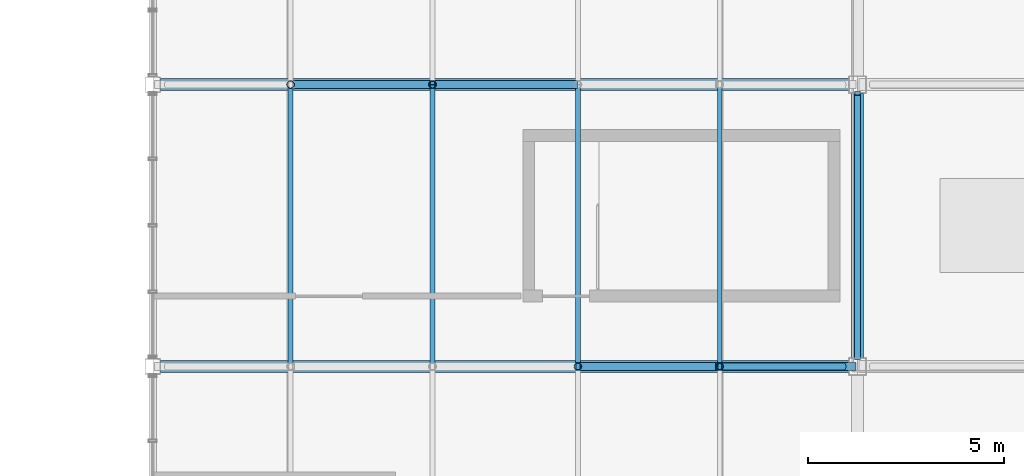
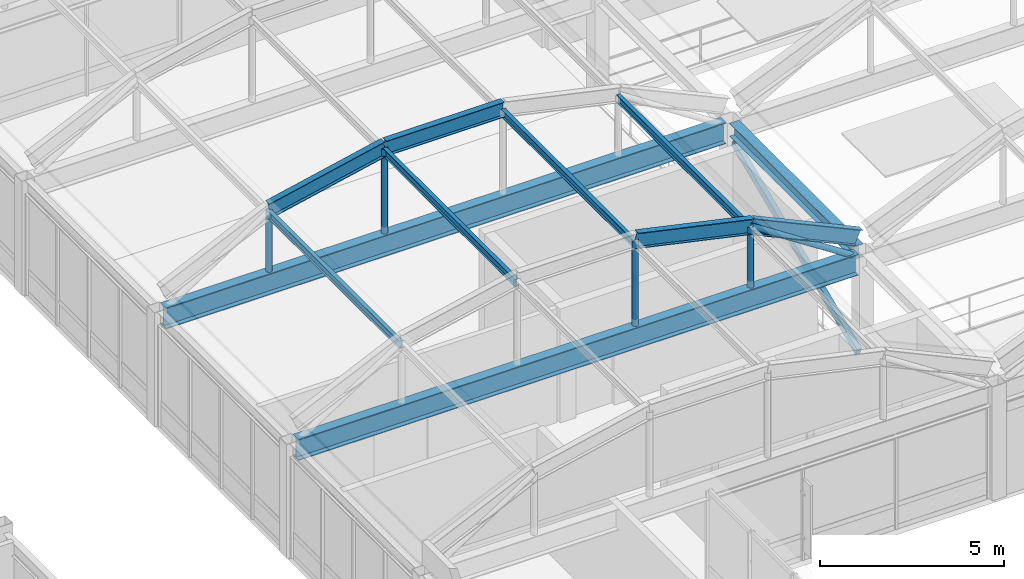
# One storey, part 27 of 106: 14 members, 3 beams.
"""IFC4 building model written with IfcOpenShell, lengths in metres."""

from ifc_helpers import new_model, si_unit, direction, frame, origin, origin_2d, place, context, subcontext, project, spatial, hollow_rectangle, hollow_circle, i_section, extrude, material, material_profile, profile_set, type_object, element, save


model = new_model("IFC4")

# Units and contexts
model_context = context("Model", 3, precision=1e-05, world=origin(), true_north=direction((0.0, 1.0)))
body_context = subcontext(model_context, "Body", "Model", "MODEL_VIEW")
ifc_project = project(units=[si_unit("LENGTHUNIT", "METRE"), si_unit("AREAUNIT", "SQUARE_METRE"), si_unit("VOLUMEUNIT", "CUBIC_METRE"), si_unit("PLANEANGLEUNIT", "RADIAN"), si_unit("MASSUNIT", "GRAM", prefix="KILO")], contexts=[model_context])

# Site, building, storey
site_placement = place(None, origin())
site = spatial("IfcSite", under=ifc_project, at=site_placement, CompositionType="ELEMENT")
building_placement = place(site_placement, origin())
building = spatial("IfcBuilding", under=site, at=building_placement, Name="Kazanami Central Library", CompositionType="ELEMENT")
storey_placement = place(building_placement, frame((0.0, 0.0, 12.800048828125)))
storey = spatial("IfcBuildingStorey", under=building, at=storey_placement, Name="L04", CompositionType="ELEMENT", Elevation=12.800048828125)

# Beams
ifc_material_1 = material(Name="Steel SN490B (325 MPa)", Category="steel")
ifc_material_profile_1 = material_profile(ifc_material_1, i_section(OverallWidth=0.300048828125, OverallDepth=0.699951171875, WebThickness=0.012939453125, FlangeThickness=0.02392578125, at=origin_2d()), Name="H-700x300x13x24")
ifc_profile_set_1 = profile_set([ifc_material_profile_1], Name="Steel SN490B (325 MPa)")
beam_type_1 = type_object("IfcBeamType", Name="BM-G-AT", PredefinedType="BEAM", material=ifc_profile_set_1)
for number, where, z_axis, x_axis, name in (
    (1, (45.197998046875, 72.0, 3.429931640625), (1.0, 0.0, 0.0), (0.0, 1.0, 0.0), "Barrel Vault Springing Tie Girder G-AT L04 W Grid L"),
    (2, (45.197998046875, 79.199951171875, 3.429931640625), (1.0, 0.0, 0.0), (0.0, 1.0, 0.0), "Barrel Vault Springing Tie Girder G-AT L04 W Grid M"),
):
    element("IfcBeam", number, at=place(storey_placement, frame(where, z_axis=z_axis, x_axis=x_axis)), inside=storey, type_object=beam_type_1, Name=name, PredefinedType="BEAM", context=body_context, shape_type="SweptSolid", body=[
        extrude(i_section(OverallWidth=0.300048828125, OverallDepth=0.699951171875, WebThickness=0.012939453125, FlangeThickness=0.02392578125, at=origin_2d()), origin(), (0.0, 0.0, 1.0), 17.5791015625),
    ])
ifc_material_profile_2 = material_profile(ifc_material_1, i_section(OverallWidth=0.300048828125, OverallDepth=0.43994140625, WebThickness=0.010986328125, FlangeThickness=0.01806640625, at=origin_2d()), Name="H-440x300x11x18")
ifc_profile_set_2 = profile_set([ifc_material_profile_2], Name="Steel SN490B (325 MPa)")
beam_type_2 = type_object("IfcBeamType", Name="BM-G-Y4", PredefinedType="BEAM", material=ifc_profile_set_2)
beam_placement = place(storey_placement, frame((63.0, 72.222900390625, 3.56005859375), z_axis=(0.0, 1.0, 0.0), x_axis=(-1.0, 0.0, 0.0)))
element("IfcBeam", 3, at=beam_placement, inside=storey, type_object=beam_type_2, Name="Girder G-Y4 L04 8/L-M", PredefinedType="BEAM", context=body_context, shape_type="SweptSolid", body=[
    extrude(i_section(OverallWidth=0.300048828125, OverallDepth=0.43994140625, WebThickness=0.010986328125, FlangeThickness=0.01806640625, at=origin_2d()), origin(), (0.0, 0.0, 1.0), 6.754150390625),
])

# Members
ifc_material_profile_3 = material_profile(ifc_material_1, i_section(OverallWidth=0.199951171875, OverallDepth=0.5, WebThickness=0.010009765625, FlangeThickness=0.01611328125, at=origin_2d()), Name="H-500x200x10x16")
ifc_profile_set_3 = profile_set([ifc_material_profile_3], Name="Steel SN490B (325 MPa)")
member_type_1 = type_object("IfcMemberType", Name="MEM-AR-02", PredefinedType="CHORD", material=ifc_profile_set_3)
for number, where, z_axis, x_axis, name in (
    (4, (55.85546875, 72.0, 6.604736328125), (0.976745687277, 0.0, -0.214401171606), (0.0, 1.0, 0.0), "Barrel Vault Arch Rib AR-02 VAULT-WEST Grid L Seg 4"),
    (5, (59.480224609375, 72.0, 5.80908203125), (0.908074880538, 0.0, -0.41880784536), (0.0, 1.0, 0.0), "Barrel Vault Arch Rib AR-02 VAULT-WEST Grid L Seg 5"),
    (6, (48.519775390625, 79.199951171875, 5.80908203125), (0.976745687277, 0.0, 0.214401171606), (0.0, 1.0, 0.0), "Barrel Vault Arch Rib AR-02 VAULT-WEST Grid M Seg 2"),
    (7, (52.14453125, 79.199951171875, 6.604736328125), (1.0, 0.0, 0.0), (0.0, 1.0, 0.0), "Barrel Vault Arch Rib AR-02 VAULT-WEST Grid M Seg 3"),
):
    element("IfcMember", number, at=place(storey_placement, frame(where, z_axis=z_axis, x_axis=x_axis)), inside=storey, type_object=member_type_1, Name=name, PredefinedType="CHORD", context=body_context, shape_type="SweptSolid", body=[
        extrude(i_section(OverallWidth=0.199951171875, OverallDepth=0.5, WebThickness=0.010009765625, FlangeThickness=0.01611328125, at=origin_2d()), origin(), (0.0, 0.0, 1.0), 3.7109375),
    ])
ifc_material_2 = material(Name="Steel STK490 (315 MPa)", Category="steel")
ifc_material_profile_4 = material_profile(ifc_material_2, hollow_rectangle(XDim=0.14990234375, YDim=0.25, WallThickness=0.009033203125, at=origin_2d()), Name="STKR-250x150x9")
ifc_profile_set_4 = profile_set([ifc_material_profile_4], Name="Steel STK490 (315 MPa)")
member_type_2 = type_object("IfcMemberType", Name="MEM-BR-09", PredefinedType="BRACE", material=ifc_profile_set_4)
member_1_placement = place(storey_placement, frame((63.0, 72.22509765625, 0.25), z_axis=(0.0, 0.921256725392, 0.388955069282), x_axis=(-1.0, 0.0, 0.0)))
element("IfcMember", 8, at=member_1_placement, inside=storey, type_object=member_type_2, Name="Concentric Steel Brace BR-09 L04 BF-V1A", PredefinedType="BRACE", context=body_context, shape_type="SweptSolid", body=[
    extrude(hollow_rectangle(XDim=0.14990234375, YDim=0.25, WallThickness=0.009033203125, at=origin_2d()), origin(), (0.0, 0.0, 1.0), 7.326904296875),
])
ifc_material_3 = material(Name="Steel SN400B (235 MPa)", Category="steel")
ifc_material_profile_5 = material_profile(ifc_material_3, i_section(OverallWidth=0.125, OverallDepth=0.25, WebThickness=0.006103515625, FlangeThickness=0.009033203125, at=origin_2d()), Name="H-250x125x6x9")
ifc_profile_set_5 = profile_set([ifc_material_profile_5], Name="Steel SN400B (235 MPa)")
member_type_3 = type_object("IfcMemberType", Name="MEM-PUR-250", PredefinedType="PURLIN", material=ifc_profile_set_5)
for number, where, z_axis, x_axis, name in (
    (9, (48.519775390625, 72.0048828125, 5.669189453125), (0.0, 1.0, 0.0), (-1.0, 0.0, 0.0), "Barrel Vault Longitudinal Purlin VAULT-WEST Knuckle 1.2"),
    (10, (52.14453125, 72.0048828125, 6.464599609375), (0.0, 1.0, 0.0), (-1.0, 0.0, 0.0), "Barrel Vault Longitudinal Purlin VAULT-WEST Knuckle 2.2"),
    (11, (55.85546875, 72.0048828125, 6.464599609375), (0.0, 1.0, 0.0), (-1.0, 0.0, 0.0), "Barrel Vault Longitudinal Purlin VAULT-WEST Knuckle 3.2"),
    (12, (59.480224609375, 72.0048828125, 5.669189453125), (0.0, 1.0, 0.0), (-1.0, 0.0, 0.0), "Barrel Vault Longitudinal Purlin VAULT-WEST Knuckle 4.2"),
):
    element("IfcMember", number, at=place(storey_placement, frame(where, z_axis=z_axis, x_axis=x_axis)), inside=storey, type_object=member_type_3, Name=name, PredefinedType="PURLIN", context=body_context, shape_type="SweptSolid", body=[
        extrude(i_section(OverallWidth=0.125, OverallDepth=0.25, WebThickness=0.006103515625, FlangeThickness=0.009033203125, at=origin_2d()), origin(), (0.0, 0.0, 1.0), 7.190185546875),
    ])
ifc_material_profile_6 = material_profile(ifc_material_2, hollow_circle(Radius=0.095458984375, WallThickness=0.007080078125, at=origin_2d()), Name="CHS-190.7x7.0")
ifc_profile_set_6 = profile_set([ifc_material_profile_6], Name="Steel STK490 (315 MPa)")
member_type_4 = type_object("IfcMemberType", Name="MEM-VST-190", PredefinedType="STRUT", material=ifc_profile_set_6)
member_2_placement = place(storey_placement, frame((55.85546875, 72.0, 3.71484375), z_axis=(0.0, 0.0, 1.0), x_axis=(1.0, 0.0, 0.0)))
element("IfcMember", 13, at=member_2_placement, inside=storey, type_object=member_type_4, Name="Barrel Vault Tied-Arch Web Strut VAULT-WEST Grid L Knuckle 3", PredefinedType="STRUT", context=body_context, shape_type="SweptSolid", body=[
    extrude(hollow_circle(Radius=0.095458984375, WallThickness=0.007080078125, at=origin_2d()), origin(), (0.0, 0.0, 1.0), 2.869873046875),
])
member_3_placement = place(storey_placement, frame((59.480224609375, 72.0, 3.71484375), z_axis=(0.0, 0.0, 1.0), x_axis=(1.0, 0.0, 0.0)))
element("IfcMember", 14, at=member_3_placement, inside=storey, type_object=member_type_4, Name="Barrel Vault Tied-Arch Web Strut VAULT-WEST Grid L Knuckle 4", PredefinedType="STRUT", context=body_context, shape_type="SweptSolid", body=[
    extrude(hollow_circle(Radius=0.095458984375, WallThickness=0.007080078125, at=origin_2d()), origin(), (0.0, 0.0, 1.0), 2.07421875),
])
member_4_placement = place(storey_placement, frame((62.64990234375, 72.0, 3.71484375), z_axis=(-0.836759504137, 0.0, 0.547570572837), x_axis=(0.0, -1.0, 0.0)))
element("IfcMember", 15, at=member_4_placement, inside=storey, type_object=member_type_4, Name="Barrel Vault Tied-Arch Diagonal VAULT-WEST Grid L (R)", PredefinedType="BRACE", context=body_context, shape_type="SweptSolid", body=[
    extrude(hollow_circle(Radius=0.095458984375, WallThickness=0.007080078125, at=origin_2d()), origin(), (0.0, 0.0, 1.0), 3.7880859375),
])
member_5_placement = place(storey_placement, frame((48.519775390625, 79.199951171875, 3.71484375), z_axis=(0.0, 0.0, 1.0), x_axis=(1.0, 0.0, 0.0)))
element("IfcMember", 16, at=member_5_placement, inside=storey, type_object=member_type_4, Name="Barrel Vault Tied-Arch Web Strut VAULT-WEST Grid M Knuckle 1", PredefinedType="STRUT", context=body_context, shape_type="SweptSolid", body=[
    extrude(hollow_circle(Radius=0.095458984375, WallThickness=0.007080078125, at=origin_2d()), origin(), (0.0, 0.0, 1.0), 2.07421875),
])
member_6_placement = place(storey_placement, frame((52.14453125, 79.199951171875, 3.71484375), z_axis=(0.0, 0.0, 1.0), x_axis=(1.0, 0.0, 0.0)))
element("IfcMember", 17, at=member_6_placement, inside=storey, type_object=member_type_4, Name="Barrel Vault Tied-Arch Web Strut VAULT-WEST Grid M Knuckle 2", PredefinedType="STRUT", context=body_context, shape_type="SweptSolid", body=[
    extrude(hollow_circle(Radius=0.095458984375, WallThickness=0.007080078125, at=origin_2d()), origin(), (0.0, 0.0, 1.0), 2.869873046875),
])

save(model, "model.ifc")
